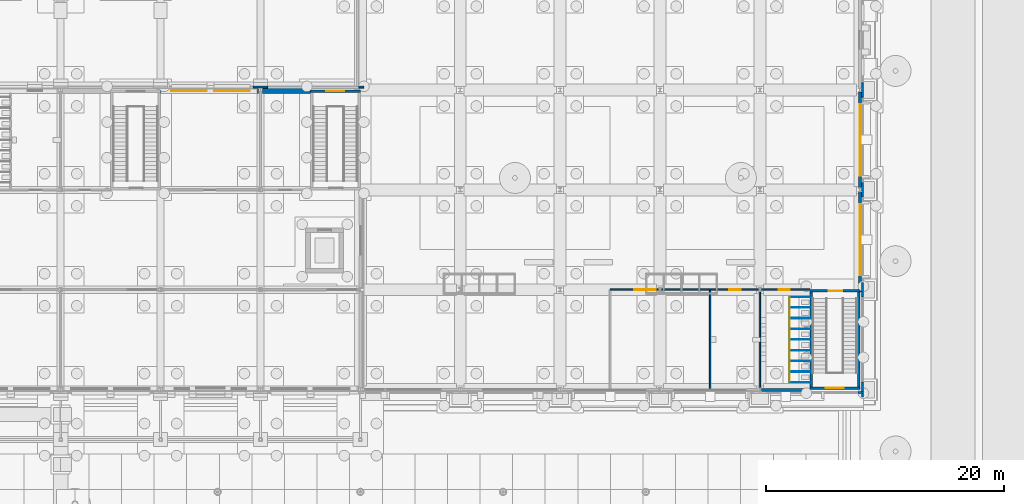
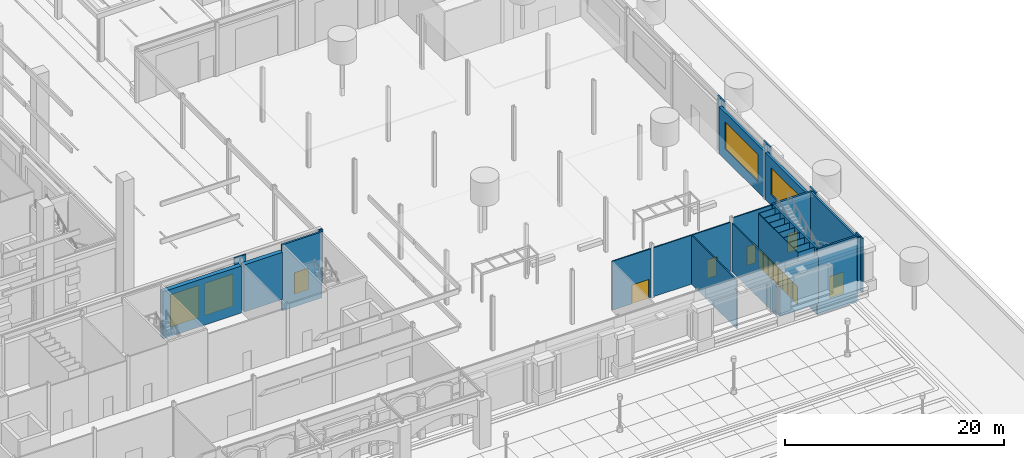
# One storey, part 100 of 222: 33 walls, 14 doors, 4 windows, 18 openings.
"""IFC4 building model written with IfcOpenShell, lengths in metres."""

from ifc_helpers import new_model, si_unit, direction, frame, frame_2d, origin, place, context, subcontext, project, spatial, rectangle, extrude, material, layer, layer_set, type_object, element, fill, save


model = new_model("IFC4")

# Units and contexts
model_context = context("Model", 3, precision=1e-05, world=origin(), true_north=direction((0.0, 1.0)))
body_context = subcontext(model_context, "Body", "Model", "MODEL_VIEW")
ifc_project = project(units=[si_unit("LENGTHUNIT", "METRE"), si_unit("AREAUNIT", "SQUARE_METRE"), si_unit("VOLUMEUNIT", "CUBIC_METRE"), si_unit("PLANEANGLEUNIT", "RADIAN"), si_unit("MASSUNIT", "GRAM", prefix="KILO")], contexts=[model_context])

# Site, building, storey
site_placement = place(None, origin())
site = spatial("IfcSite", under=ifc_project, at=site_placement, CompositionType="ELEMENT")
building_placement = place(site_placement, origin())
building = spatial("IfcBuilding", under=site, at=building_placement, Name="Sava Quay Ferry Terminal", CompositionType="ELEMENT")
storey_placement = place(building_placement, origin())
storey = spatial("IfcBuildingStorey", under=building, at=storey_placement, Name="L00", CompositionType="ELEMENT", Elevation=0.0)

# Wall, openings, doors
ifc_material_1 = material(Name="High-pressure laminate panel")
ifc_layer_1 = layer(ifc_material_1, 0.050048828125)
ifc_layer_set_1 = layer_set([ifc_layer_1], Name="High-pressure laminate panel")
wall_type_1 = type_object("IfcWallType", Name="Cubicle partition 50", PredefinedType="PARTITIONING", material=ifc_layer_set_1)
wall_1_placement = place(storey_placement, frame((162.10009765625, 25.800048828125, 0.0), z_axis=(0.0, 0.0, 1.0), x_axis=(0.0, 1.0, 0.0)))
wall_1 = element("IfcWall", 1, at=wall_1_placement, inside=storey, type_object=wall_type_1, Name="Cubicle partition panel", PredefinedType="PARTITIONING", context=body_context, shape_type="SweptSolid", body=[
    extrude(rectangle(XDim=7.199951171875, YDim=0.050048828125, at=frame_2d((3.60009765625, 0.0))), origin(), (0.0, 0.0, 1.0), 5.85009765625),
])
opening_1_placement = place(wall_1_placement, frame((0.050048828125, 0.0, 0.0)))
opening_1 = element("IfcOpeningElement", 2, at=opening_1_placement, cuts=wall_1, Name="Opening CD027", PredefinedType="OPENING", context=body_context, shape_type="SweptSolid", body=[
    extrude(rectangle(XDim=0.800048828125, YDim=2.0, at=frame_2d((0.39990234375, 1.0))), frame((0.0, 0.02490234375, 0.0), z_axis=(0.0, -1.0, 0.0), x_axis=(1.0, 0.0, 0.0)), (0.0, 0.0, 1.0), 0.050048828125),
])
opening_2_placement = place(wall_1_placement, frame((0.949951171875, 0.0, 0.0)))
opening_2 = element("IfcOpeningElement", 3, at=opening_2_placement, cuts=wall_1, Name="Opening CD028", PredefinedType="OPENING", context=body_context, shape_type="SweptSolid", body=[
    extrude(rectangle(XDim=0.800048828125, YDim=2.0, at=frame_2d((0.39990234375, 1.0))), frame((0.0, 0.02490234375, 0.0), z_axis=(0.0, -1.0, 0.0), x_axis=(1.0, 0.0, 0.0)), (0.0, 0.0, 1.0), 0.050048828125),
])
opening_3_placement = place(wall_1_placement, frame((1.85009765625, 0.0, 0.0)))
opening_3 = element("IfcOpeningElement", 4, at=opening_3_placement, cuts=wall_1, Name="Opening CD029", PredefinedType="OPENING", context=body_context, shape_type="SweptSolid", body=[
    extrude(rectangle(XDim=0.800048828125, YDim=2.0, at=frame_2d((0.39990234375, 1.0))), frame((0.0, 0.02490234375, 0.0), z_axis=(0.0, -1.0, 0.0), x_axis=(1.0, 0.0, 0.0)), (0.0, 0.0, 1.0), 0.050048828125),
])
opening_4_placement = place(wall_1_placement, frame((2.75, 0.0, 0.0)))
opening_4 = element("IfcOpeningElement", 5, at=opening_4_placement, cuts=wall_1, Name="Opening CD030", PredefinedType="OPENING", context=body_context, shape_type="SweptSolid", body=[
    extrude(rectangle(XDim=0.800048828125, YDim=2.0, at=frame_2d((0.39990234375, 1.0))), frame((0.0, 0.02490234375, 0.0), z_axis=(0.0, -1.0, 0.0), x_axis=(1.0, 0.0, 0.0)), (0.0, 0.0, 1.0), 0.050048828125),
])
opening_5_placement = place(wall_1_placement, frame((3.64990234375, 0.0, 0.0)))
opening_5 = element("IfcOpeningElement", 6, at=opening_5_placement, cuts=wall_1, Name="Opening CD031", PredefinedType="OPENING", context=body_context, shape_type="SweptSolid", body=[
    extrude(rectangle(XDim=0.800048828125, YDim=2.0, at=frame_2d((0.39990234375, 1.0))), frame((0.0, 0.02490234375, 0.0), z_axis=(0.0, -1.0, 0.0), x_axis=(1.0, 0.0, 0.0)), (0.0, 0.0, 1.0), 0.050048828125),
])
opening_6_placement = place(wall_1_placement, frame((4.550048828125, 0.0, 0.0)))
opening_6 = element("IfcOpeningElement", 7, at=opening_6_placement, cuts=wall_1, Name="Opening CD032", PredefinedType="OPENING", context=body_context, shape_type="SweptSolid", body=[
    extrude(rectangle(XDim=0.800048828125, YDim=2.0, at=frame_2d((0.39990234375, 1.0))), frame((0.0, 0.02490234375, 0.0), z_axis=(0.0, -1.0, 0.0), x_axis=(1.0, 0.0, 0.0)), (0.0, 0.0, 1.0), 0.050048828125),
])
opening_7_placement = place(wall_1_placement, frame((5.449951171875, 0.0, 0.0)))
opening_7 = element("IfcOpeningElement", 8, at=opening_7_placement, cuts=wall_1, Name="Opening CD033", PredefinedType="OPENING", context=body_context, shape_type="SweptSolid", body=[
    extrude(rectangle(XDim=0.800048828125, YDim=2.0, at=frame_2d((0.39990234375, 1.0))), frame((0.0, 0.02490234375, 0.0), z_axis=(0.0, -1.0, 0.0), x_axis=(1.0, 0.0, 0.0)), (0.0, 0.0, 1.0), 0.050048828125),
])
opening_8_placement = place(wall_1_placement, frame((6.35009765625, 0.0, 0.0)))
opening_8 = element("IfcOpeningElement", 9, at=opening_8_placement, cuts=wall_1, Name="Opening CD034", PredefinedType="OPENING", context=body_context, shape_type="SweptSolid", body=[
    extrude(rectangle(XDim=0.800048828125, YDim=2.0, at=frame_2d((0.39990234375, 1.0))), frame((0.0, 0.02490234375, 0.0), z_axis=(0.0, -1.0, 0.0), x_axis=(1.0, 0.0, 0.0)), (0.0, 0.0, 1.0), 0.050048828125),
])
ifc_material_2 = material(Name="Laminate door set")
door_type_1 = type_object("IfcDoorType", Name="Cubicle door 800 x 2000", OperationType="NOTDEFINED", PredefinedType="DOOR", material=ifc_material_2)
door_1_placement = place(opening_1_placement, origin())
door_1 = element("IfcDoor", 10, at=door_1_placement, inside=storey, type_object=door_type_1, Name="Cubicle door", OperationType="SINGLE_SWING_RIGHT", OverallHeight=2.0, OverallWidth=0.800048828125, PredefinedType="DOOR", context=body_context, shape_type="SweptSolid", body=[
    extrude(rectangle(XDim=0.800048828125, YDim=2.0, at=frame_2d((0.39990234375, 1.0))), frame((0.0, 0.02490234375, 0.0), z_axis=(0.0, -1.0, 0.0), x_axis=(1.0, 0.0, 0.0)), (0.0, 0.0, 1.0), 0.049560546875),
])
fill(opening_1, door_1)
door_2_placement = place(opening_2_placement, origin())
door_2 = element("IfcDoor", 11, at=door_2_placement, inside=storey, type_object=door_type_1, Name="Cubicle door", OperationType="SINGLE_SWING_LEFT", OverallHeight=2.0, OverallWidth=0.800048828125, PredefinedType="DOOR", context=body_context, shape_type="SweptSolid", body=[
    extrude(rectangle(XDim=0.800048828125, YDim=2.0, at=frame_2d((0.39990234375, 1.0))), frame((0.0, 0.02490234375, 0.0), z_axis=(0.0, -1.0, 0.0), x_axis=(1.0, 0.0, 0.0)), (0.0, 0.0, 1.0), 0.049560546875),
])
fill(opening_2, door_2)
door_3_placement = place(opening_3_placement, origin())
door_3 = element("IfcDoor", 12, at=door_3_placement, inside=storey, type_object=door_type_1, Name="Cubicle door", OperationType="SINGLE_SWING_RIGHT", OverallHeight=2.0, OverallWidth=0.800048828125, PredefinedType="DOOR", context=body_context, shape_type="SweptSolid", body=[
    extrude(rectangle(XDim=0.800048828125, YDim=2.0, at=frame_2d((0.39990234375, 1.0))), frame((0.0, 0.02490234375, 0.0), z_axis=(0.0, -1.0, 0.0), x_axis=(1.0, 0.0, 0.0)), (0.0, 0.0, 1.0), 0.049560546875),
])
fill(opening_3, door_3)
door_4_placement = place(opening_4_placement, origin())
door_4 = element("IfcDoor", 13, at=door_4_placement, inside=storey, type_object=door_type_1, Name="Cubicle door", OperationType="SINGLE_SWING_LEFT", OverallHeight=2.0, OverallWidth=0.800048828125, PredefinedType="DOOR", context=body_context, shape_type="SweptSolid", body=[
    extrude(rectangle(XDim=0.800048828125, YDim=2.0, at=frame_2d((0.39990234375, 1.0))), frame((0.0, 0.02490234375, 0.0), z_axis=(0.0, -1.0, 0.0), x_axis=(1.0, 0.0, 0.0)), (0.0, 0.0, 1.0), 0.049560546875),
])
fill(opening_4, door_4)
door_5_placement = place(opening_5_placement, origin())
door_5 = element("IfcDoor", 14, at=door_5_placement, inside=storey, type_object=door_type_1, Name="Cubicle door", OperationType="SINGLE_SWING_RIGHT", OverallHeight=2.0, OverallWidth=0.800048828125, PredefinedType="DOOR", context=body_context, shape_type="SweptSolid", body=[
    extrude(rectangle(XDim=0.800048828125, YDim=2.0, at=frame_2d((0.39990234375, 1.0))), frame((0.0, 0.02490234375, 0.0), z_axis=(0.0, -1.0, 0.0), x_axis=(1.0, 0.0, 0.0)), (0.0, 0.0, 1.0), 0.049560546875),
])
fill(opening_5, door_5)
door_6_placement = place(opening_6_placement, origin())
door_6 = element("IfcDoor", 15, at=door_6_placement, inside=storey, type_object=door_type_1, Name="Cubicle door", OperationType="SINGLE_SWING_LEFT", OverallHeight=2.0, OverallWidth=0.800048828125, PredefinedType="DOOR", context=body_context, shape_type="SweptSolid", body=[
    extrude(rectangle(XDim=0.800048828125, YDim=2.0, at=frame_2d((0.39990234375, 1.0))), frame((0.0, 0.02490234375, 0.0), z_axis=(0.0, -1.0, 0.0), x_axis=(1.0, 0.0, 0.0)), (0.0, 0.0, 1.0), 0.049560546875),
])
fill(opening_6, door_6)
door_7_placement = place(opening_7_placement, origin())
door_7 = element("IfcDoor", 16, at=door_7_placement, inside=storey, type_object=door_type_1, Name="Cubicle door", OperationType="SINGLE_SWING_RIGHT", OverallHeight=2.0, OverallWidth=0.800048828125, PredefinedType="DOOR", context=body_context, shape_type="SweptSolid", body=[
    extrude(rectangle(XDim=0.800048828125, YDim=2.0, at=frame_2d((0.39990234375, 1.0))), frame((0.0, 0.02490234375, 0.0), z_axis=(0.0, -1.0, 0.0), x_axis=(1.0, 0.0, 0.0)), (0.0, 0.0, 1.0), 0.049560546875),
])
fill(opening_7, door_7)
door_8_placement = place(opening_8_placement, origin())
door_8 = element("IfcDoor", 17, at=door_8_placement, inside=storey, type_object=door_type_1, Name="Cubicle door", OperationType="SINGLE_SWING_LEFT", OverallHeight=2.0, OverallWidth=0.800048828125, PredefinedType="DOOR", context=body_context, shape_type="SweptSolid", body=[
    extrude(rectangle(XDim=0.800048828125, YDim=2.0, at=frame_2d((0.39990234375, 1.0))), frame((0.0, 0.02490234375, 0.0), z_axis=(0.0, -1.0, 0.0), x_axis=(1.0, 0.0, 0.0)), (0.0, 0.0, 1.0), 0.049560546875),
])
fill(opening_8, door_8)

# Walls
for number, where, z_axis, x_axis, name in (
    (18, (163.800048828125, 25.800048828125, 0.0), (0.0, 0.0, 1.0), (-1.0, 0.0, 0.0), "Cubicle partition panel"),
    (19, (163.800048828125, 26.699951171875, 0.0), (0.0, 0.0, 1.0), (-1.0, 0.0, 0.0), "Cubicle partition panel"),
    (20, (163.800048828125, 27.60009765625, 0.0), (0.0, 0.0, 1.0), (-1.0, 0.0, 0.0), "Cubicle partition panel"),
    (21, (163.800048828125, 28.5, 0.0), (0.0, 0.0, 1.0), (-1.0, 0.0, 0.0), "Cubicle partition panel"),
    (22, (163.800048828125, 29.39990234375, 0.0), (0.0, 0.0, 1.0), (-1.0, 0.0, 0.0), "Cubicle partition panel"),
    (23, (163.800048828125, 30.300048828125, 0.0), (0.0, 0.0, 1.0), (-1.0, 0.0, 0.0), "Cubicle partition panel"),
    (24, (163.800048828125, 31.199951171875, 0.0), (0.0, 0.0, 1.0), (-1.0, 0.0, 0.0), "Cubicle partition panel"),
    (25, (163.800048828125, 32.10009765625, 0.0), (0.0, 0.0, 1.0), (-1.0, 0.0, 0.0), "Cubicle partition panel"),
    (26, (163.800048828125, 33.0, 0.0), (0.0, 0.0, 1.0), (-1.0, 0.0, 0.0), "Cubicle partition panel"),
):
    element("IfcWall", number, at=place(storey_placement, frame(where, z_axis=z_axis, x_axis=x_axis)), inside=storey, type_object=wall_type_1, Name=name, PredefinedType="PARTITIONING", context=body_context, shape_type="SweptSolid", body=[
        extrude(rectangle(XDim=1.699951171875, YDim=0.050048828125, at=frame_2d((0.85009765625, 0.0))), origin(), (0.0, 0.0, 1.0), 5.85009765625),
    ])
ifc_material_3 = material(Name="Concrete C35/45", Category="concrete")
ifc_layer_2 = layer(ifc_material_3, 0.25)
ifc_layer_set_2 = layer_set([ifc_layer_2], Name="Concrete C35/45")
wall_type_2 = type_object("IfcWallType", Name="Deck perimeter precast panel 250", PredefinedType="SOLIDWALL", material=ifc_layer_set_2)
wall_2_placement = place(storey_placement, frame((159.75, 25.1650390625, 0.0), z_axis=(0.0, 0.0, 1.0), x_axis=(1.0, 0.0, 0.0)))
element("IfcWall", 27, at=wall_2_placement, inside=storey, type_object=wall_type_2, Name="External wall V-S", PredefinedType="SOLIDWALL", context=body_context, shape_type="SweptSolid", body=[
    extrude(rectangle(XDim=4.050048828125, YDim=0.25, at=frame_2d((2.02490234375, 0.0))), origin(), (0.0, 0.0, 1.0), 5.25),
])

# Wall, opening, window
wall_3_placement = place(storey_placement, frame((168.02490234375, 33.39990234375, 0.0), z_axis=(0.0, 0.0, 1.0), x_axis=(0.0, 1.0, 0.0)))
wall_3 = element("IfcWall", 28, at=wall_3_placement, inside=storey, type_object=wall_type_2, Name="External wall V-E", PredefinedType="SOLIDWALL", context=body_context, shape_type="SweptSolid", body=[
    extrude(rectangle(XDim=8.440185546875, YDim=0.25, at=frame_2d((4.22021484375, 0.0))), origin(), (0.0, 0.0, 1.0), 5.25),
])
opening_9_placement = place(wall_3_placement, frame((1.39990234375, 0.0, 1.199951171875)))
opening_9 = element("IfcOpeningElement", 29, at=opening_9_placement, cuts=wall_3, Name="Opening W-L", PredefinedType="OPENING", context=body_context, shape_type="SweptSolid", body=[
    extrude(rectangle(XDim=6.0, YDim=3.0, at=frame_2d((3.0, 1.5))), frame((0.0, 0.125, 0.0), z_axis=(0.0, -1.0, 0.0), x_axis=(1.0, 0.0, 0.0)), (0.0, 0.0, 1.0), 0.25),
])
ifc_material_4 = material(Name="Aluminium bronze anodised frame, glazing double low-e Ug 1.1", Category="aluminium")
window_type_1 = type_object("IfcWindowType", Name="Deck louvre window 6000x3000", PartitioningType="SINGLE_PANEL", PredefinedType="WINDOW", material=ifc_material_4)
window_1_placement = place(opening_9_placement, origin())
window_1 = element("IfcWindow", 30, at=window_1_placement, inside=storey, type_object=window_type_1, Name="Louvre window W-L", OverallHeight=3.0, OverallWidth=6.0, PartitioningType="SINGLE_PANEL", PredefinedType="WINDOW", context=body_context, shape_type="SweptSolid", body=[
    extrude(rectangle(XDim=6.0, YDim=3.0, at=frame_2d((3.0, 1.5))), frame((0.0, 0.030029296875, 0.0), z_axis=(0.0, -1.0, 0.0), x_axis=(1.0, 0.0, 0.0)), (0.0, 0.0, 1.0), 0.06005859375),
])
fill(opening_9, window_1)

wall_4_placement = place(storey_placement, frame((168.02490234375, 42.159912109375, 0.0), z_axis=(0.0, 0.0, 1.0), x_axis=(0.0, 1.0, 0.0)))
wall_4 = element("IfcWall", 31, at=wall_4_placement, inside=storey, type_object=wall_type_2, Name="External wall V-E", PredefinedType="SOLIDWALL", context=body_context, shape_type="SweptSolid", body=[
    extrude(rectangle(XDim=8.080078125, YDim=0.25, at=frame_2d((4.0400390625, 0.0))), origin(), (0.0, 0.0, 1.0), 5.25),
])
opening_10_placement = place(wall_4_placement, frame((1.0400390625, 0.0, 1.199951171875)))
opening_10 = element("IfcOpeningElement", 32, at=opening_10_placement, cuts=wall_4, Name="Opening W-L", PredefinedType="OPENING", context=body_context, shape_type="SweptSolid", body=[
    extrude(rectangle(XDim=6.0, YDim=3.0, at=frame_2d((3.0, 1.5))), frame((0.0, 0.125, 0.0), z_axis=(0.0, -1.0, 0.0), x_axis=(1.0, 0.0, 0.0)), (0.0, 0.0, 1.0), 0.25),
])
window_2_placement = place(opening_10_placement, origin())
window_2 = element("IfcWindow", 33, at=window_2_placement, inside=storey, type_object=window_type_1, Name="Louvre window W-L", OverallHeight=3.0, OverallWidth=6.0, PartitioningType="SINGLE_PANEL", PredefinedType="WINDOW", context=body_context, shape_type="SweptSolid", body=[
    extrude(rectangle(XDim=6.0, YDim=3.0, at=frame_2d((3.0, 1.5))), frame((0.0, 0.030029296875, 0.0), z_axis=(0.0, -1.0, 0.0), x_axis=(1.0, 0.0, 0.0)), (0.0, 0.0, 1.0), 0.06005859375),
])
fill(opening_10, window_2)

# Walls
ifc_material_5 = material(Name="Limestone Mutalj", Category="masonry")
ifc_layer_3 = layer(ifc_material_5, 0.14990234375)
ifc_layer_set_3 = layer_set([ifc_layer_3], Name="Limestone Mutalj")
wall_type_3 = type_object("IfcWallType", Name="Pier cladding 150", PredefinedType="SOLIDWALL", material=ifc_layer_set_3)
wall_5_placement = place(storey_placement, frame((117.0, 50.635009765625, 0.0), z_axis=(0.0, 0.0, 1.0), x_axis=(1.0, 0.0, 0.0)))
element("IfcWall", 34, at=wall_5_placement, inside=storey, type_object=wall_type_3, Name="Pier P-N grid 117.6", PredefinedType="SOLIDWALL", context=body_context, shape_type="SweptSolid", body=[
    extrude(rectangle(XDim=1.199951171875, YDim=0.14990234375, at=frame_2d((0.60009765625, 0.0))), origin(), (0.0, 0.0, 1.0), 6.0),
])
for number, where, z_axis, x_axis, name in (
    (35, (125.85009765625, 50.635009765625, 0.0), (0.0, 0.0, 1.0), (1.0, 0.0, 0.0), "Pier P-N grid 126"),
    (36, (167.85009765625, 24.965087890625, 0.0), (0.0, 0.0, 1.0), (1.0, 0.0, 0.0), "Pier V-S grid 168"),
):
    element("IfcWall", number, at=place(storey_placement, frame(where, z_axis=z_axis, x_axis=x_axis)), inside=storey, type_object=wall_type_3, Name=name, PredefinedType="SOLIDWALL", context=body_context, shape_type="SweptSolid", body=[
        extrude(rectangle(XDim=0.449951171875, YDim=0.14990234375, at=frame_2d((0.22509765625, 0.0))), origin(), (0.0, 0.0, 1.0), 6.0),
    ])
for number, where, z_axis, x_axis, name in (
    (37, (168.22509765625, 24.60009765625, 0.0), (0.0, 0.0, 1.0), (0.0, 1.0, 0.0), "Pier V-E grid 25.2"),
    (38, (168.22509765625, 33.0, 0.0), (0.0, 0.0, 1.0), (0.0, 1.0, 0.0), "Pier V-E grid 33.6"),
):
    element("IfcWall", number, at=place(storey_placement, frame(where, z_axis=z_axis, x_axis=x_axis)), inside=storey, type_object=wall_type_3, Name=name, PredefinedType="SOLIDWALL", context=body_context, shape_type="SweptSolid", body=[
        extrude(rectangle(XDim=1.199951171875, YDim=0.14990234375, at=frame_2d((0.60009765625, 0.0))), origin(), (0.0, 0.0, 1.0), 6.0),
    ])
wall_6_placement = place(storey_placement, frame((168.22509765625, 41.39990234375, 0.0), z_axis=(0.0, 0.0, 1.0), x_axis=(0.0, 1.0, 0.0)))
element("IfcWall", 39, at=wall_6_placement, inside=storey, type_object=wall_type_3, Name="Pier V-E grid 42", PredefinedType="SOLIDWALL", context=body_context, shape_type="SweptSolid", body=[
    extrude(rectangle(XDim=1.2001953125, YDim=0.14990234375, at=frame_2d((0.60009765625, 0.0))), origin(), (0.0, 0.0, 1.0), 6.0),
])
wall_7_placement = place(storey_placement, frame((168.22509765625, 49.800048828125, 0.0), z_axis=(0.0, 0.0, 1.0), x_axis=(0.0, 1.0, 0.0)))
element("IfcWall", 40, at=wall_7_placement, inside=storey, type_object=wall_type_3, Name="Pier V-E grid 50.4", PredefinedType="SOLIDWALL", context=body_context, shape_type="SweptSolid", body=[
    extrude(rectangle(XDim=1.199951171875, YDim=0.14990234375, at=frame_2d((0.60009765625, 0.0))), origin(), (0.0, 0.0, 1.0), 6.0),
])

# Wall, opening, door
ifc_material_6 = material(Name="Concrete C35/45", Category="concrete")
ifc_layer_4 = layer(ifc_material_6, 0.199951171875)
ifc_layer_set_4 = layer_set([ifc_layer_4], Name="Concrete C35/45")
wall_type_4 = type_object("IfcWallType", Name="RC core wall 200", PredefinedType="SHEAR", material=ifc_layer_set_4)
wall_8_placement = place(storey_placement, frame((121.800048828125, 50.300048828125, -1.35009765625), z_axis=(0.0, 0.0, 1.0), x_axis=(1.0, 0.0, 0.0)))
wall_8 = element("IfcWall", 41, at=wall_8_placement, inside=storey, type_object=wall_type_4, Name="Core wall ST-P2 N L00", PredefinedType="SHEAR", context=body_context, shape_type="SweptSolid", body=[
    extrude(rectangle(XDim=4.199951171875, YDim=0.199951171875, at=frame_2d((2.10009765625, 0.0))), origin(), (0.0, 0.0, 1.0), 7.35009765625),
])
opening_11_placement = place(wall_8_placement, frame((1.35009765625, 0.0, 1.35009765625)))
opening_11 = element("IfcOpeningElement", 42, at=opening_11_placement, cuts=wall_8, Name="Opening DX-P5", PredefinedType="OPENING", context=body_context, shape_type="SweptSolid", body=[
    extrude(rectangle(XDim=1.5, YDim=2.39990234375, at=frame_2d((0.75, 1.199951171875))), frame((0.0, 0.10009765625, 0.0), z_axis=(0.0, -1.0, 0.0), x_axis=(1.0, 0.0, 0.0)), (0.0, 0.0, 1.0), 0.199951171875),
])
ifc_material_7 = material(Name="Aluminium bronze anodised, glazing safety laminated", Category="aluminium")
door_type_2 = type_object("IfcDoorType", Name="Exit door 1500x2400", OperationType="DOUBLE_DOOR_SINGLE_SWING", PredefinedType="DOOR", material=ifc_material_7)
door_9_placement = place(opening_11_placement, origin())
door_9 = element("IfcDoor", 43, at=door_9_placement, inside=storey, type_object=door_type_2, Name="Door DX-P5", OperationType="DOUBLE_DOOR_SINGLE_SWING", OverallHeight=2.39990234375, OverallWidth=1.5, PredefinedType="DOOR", context=body_context, shape_type="SweptSolid", body=[
    extrude(rectangle(XDim=1.5, YDim=2.39990234375, at=frame_2d((0.75, 1.199951171875))), frame((0.0, 0.02490234375, 0.0), z_axis=(0.0, -1.0, 0.0), x_axis=(1.0, 0.0, 0.0)), (0.0, 0.0, 1.0), 0.050048828125),
])
fill(opening_11, door_9)

wall_9_placement = place(storey_placement, frame((163.800048828125, 25.300048828125, -1.35009765625), z_axis=(0.0, 0.0, 1.0), x_axis=(1.0, 0.0, 0.0)))
wall_9 = element("IfcWall", 44, at=wall_9_placement, inside=storey, type_object=wall_type_4, Name="Core wall ST-V1 S L00", PredefinedType="SHEAR", context=body_context, shape_type="SweptSolid", body=[
    extrude(rectangle(XDim=4.199951171875, YDim=0.199951171875, at=frame_2d((2.10009765625, 0.0))), origin(), (0.0, 0.0, 1.0), 7.35009765625),
])
opening_12_placement = place(wall_9_placement, frame((1.35009765625, 0.0, 1.35009765625)))
opening_12 = element("IfcOpeningElement", 45, at=opening_12_placement, cuts=wall_9, Name="Opening DX-V6", PredefinedType="OPENING", context=body_context, shape_type="SweptSolid", body=[
    extrude(rectangle(XDim=1.5, YDim=2.39990234375, at=frame_2d((0.75, 1.199951171875))), frame((0.0, 0.10009765625, 0.0), z_axis=(0.0, -1.0, 0.0), x_axis=(1.0, 0.0, 0.0)), (0.0, 0.0, 1.0), 0.199951171875),
])
door_10_placement = place(opening_12_placement, frame((1.5, 0.050048828125, 0.0), z_axis=(0.0, 0.0, 1.0), x_axis=(-1.0, 0.0, 0.0)))
door_10 = element("IfcDoor", 46, at=door_10_placement, inside=storey, type_object=door_type_2, Name="Door DX-V6", OperationType="DOUBLE_DOOR_SINGLE_SWING", OverallHeight=2.39990234375, OverallWidth=1.5, PredefinedType="DOOR", context=body_context, shape_type="SweptSolid", body=[
    extrude(rectangle(XDim=1.5, YDim=2.39990234375, at=frame_2d((0.75, 1.199951171875))), frame((0.0, 0.02490234375, 0.0), z_axis=(0.0, -1.0, 0.0), x_axis=(1.0, 0.0, 0.0)), (0.0, 0.0, 1.0), 0.050048828125),
])
fill(opening_12, door_10)

wall_10_placement = place(storey_placement, frame((163.800048828125, 33.5, -1.35009765625), z_axis=(0.0, 0.0, 1.0), x_axis=(1.0, 0.0, 0.0)))
wall_10 = element("IfcWall", 47, at=wall_10_placement, inside=storey, type_object=wall_type_4, Name="Core wall ST-V1 N L00", PredefinedType="SHEAR", context=body_context, shape_type="SweptSolid", body=[
    extrude(rectangle(XDim=4.199951171875, YDim=0.199951171875, at=frame_2d((2.10009765625, 0.0))), origin(), (0.0, 0.0, 1.0), 7.35009765625),
])
opening_13_placement = place(wall_10_placement, frame((1.60009765625, 0.0, 1.35009765625)))
opening_13 = element("IfcOpeningElement", 48, at=opening_13_placement, cuts=wall_10, Name="Opening DS0016", PredefinedType="OPENING", context=body_context, shape_type="SweptSolid", body=[
    extrude(rectangle(XDim=1.10009765625, YDim=2.10009765625, at=frame_2d((0.550048828125, 1.050048828125))), frame((0.0, 0.10009765625, 0.0), z_axis=(0.0, -1.0, 0.0), x_axis=(1.0, 0.0, 0.0)), (0.0, 0.0, 1.0), 0.199951171875),
])
ifc_material_8 = material(Name="Steel fire door set", Category="steel")
door_type_3 = type_object("IfcDoorType", Name="Stair fire door 1100 x 2100", OperationType="NOTDEFINED", PredefinedType="DOOR", material=ifc_material_8)
door_11_placement = place(opening_13_placement, origin())
door_11 = element("IfcDoor", 49, at=door_11_placement, inside=storey, type_object=door_type_3, Name="Door DS0016", OperationType="SINGLE_SWING_RIGHT", OverallHeight=2.10009765625, OverallWidth=1.10009765625, PredefinedType="DOOR", context=body_context, shape_type="SweptSolid", body=[
    extrude(rectangle(XDim=1.10009765625, YDim=2.10009765625, at=frame_2d((0.550048828125, 1.050048828125))), frame((0.0, 0.02490234375, 0.0), z_axis=(0.0, -1.0, 0.0), x_axis=(1.0, 0.0, 0.0)), (0.0, 0.0, 1.0), 0.050048828125),
])
fill(opening_13, door_11)

# Walls
for number, where, z_axis, x_axis, name in (
    (50, (163.89990234375, 25.39990234375, -1.35009765625), (0.0, 0.0, 1.0), (0.0, 1.0, 0.0), "Core wall ST-V1 W L00"),
    (51, (167.89990234375, 25.39990234375, -1.35009765625), (0.0, 0.0, 1.0), (0.0, 1.0, 0.0), "Core wall ST-V1 E L00"),
):
    element("IfcWall", number, at=place(storey_placement, frame(where, z_axis=z_axis, x_axis=x_axis)), inside=storey, type_object=wall_type_4, Name=name, PredefinedType="SHEAR", context=body_context, shape_type="SweptSolid", body=[
        extrude(rectangle(XDim=8.0, YDim=0.199951171875, at=frame_2d((4.0, 0.0))), origin(), (0.0, 0.0, 1.0), 7.35009765625),
    ])

# Wall, opening, door
ifc_material_9 = material(Name="Plasterboard on steel studs", Category="steel")
ifc_layer_5 = layer(ifc_material_9, 0.125)
ifc_layer_set_5 = layer_set([ifc_layer_5], Name="Plasterboard on steel studs")
wall_type_5 = type_object("IfcWallType", Name="Room partition, plasterboard on steel studs 125", PredefinedType="PARTITIONING", material=ifc_layer_set_5)
wall_11_placement = place(storey_placement, frame((147.0, 33.60009765625, 0.0), z_axis=(0.0, 0.0, 1.0), x_axis=(1.0, 0.0, 0.0)))
wall_11 = element("IfcWall", 52, at=wall_11_placement, inside=storey, type_object=wall_type_5, Name="Room partition, plasterboard on steel studs 125", PredefinedType="PARTITIONING", context=body_context, shape_type="SweptSolid", body=[
    extrude(rectangle(XDim=4.050048828125, YDim=0.125, at=frame_2d((2.02490234375, 0.0))), origin(), (0.0, 0.0, 1.0), 5.449951171875),
])
opening_14_placement = place(wall_11_placement, frame((2.050048828125, 0.0, 0.0)))
opening_14 = element("IfcOpeningElement", 53, at=opening_14_placement, cuts=wall_11, Name="Opening D0033", PredefinedType="OPENING", context=body_context, shape_type="SweptSolid", body=[
    extrude(rectangle(XDim=1.800048828125, YDim=2.10009765625, at=frame_2d((0.89990234375, 1.050048828125))), frame((0.0, 0.0625, 0.0), z_axis=(0.0, -1.0, 0.0), x_axis=(1.0, 0.0, 0.0)), (0.0, 0.0, 1.0), 0.125),
])
ifc_material_10 = material(Name="Timber door set", Category="wood")
door_type_4 = type_object("IfcDoorType", Name="Double door 1800 x 2100", OperationType="NOTDEFINED", PredefinedType="DOOR", material=ifc_material_10)
door_12_placement = place(opening_14_placement, origin())
door_12 = element("IfcDoor", 54, at=door_12_placement, inside=storey, type_object=door_type_4, Name="Door D0033", OperationType="DOUBLE_DOOR_DOUBLE_SWING", OverallHeight=2.10009765625, OverallWidth=1.800048828125, PredefinedType="DOOR", context=body_context, shape_type="SweptSolid", body=[
    extrude(rectangle(XDim=1.800048828125, YDim=2.10009765625, at=frame_2d((0.89990234375, 1.050048828125))), frame((0.0, 0.02490234375, 0.0), z_axis=(0.0, -1.0, 0.0), x_axis=(1.0, 0.0, 0.0)), (0.0, 0.0, 1.0), 0.050048828125),
])
fill(opening_14, door_12)

# Wall
wall_12_placement = place(storey_placement, frame((151.35009765625, 33.60009765625, 0.0), z_axis=(0.0, 0.0, 1.0), x_axis=(1.0, 0.0, 0.0)))
element("IfcWall", 55, at=wall_12_placement, inside=storey, type_object=wall_type_5, Name="Room partition, plasterboard on steel studs 125", PredefinedType="PARTITIONING", context=body_context, shape_type="SweptSolid", body=[
    extrude(rectangle(XDim=4.0498046875, YDim=0.125, at=frame_2d((2.02490234375, 0.0))), origin(), (0.0, 0.0, 1.0), 5.449951171875),
])

# Wall, openings, windows
ifc_material_11 = material(Name="Limestone Mutalj", Category="masonry")
ifc_layer_6 = layer(ifc_material_11, 0.449951171875)
ifc_layer_set_6 = layer_set([ifc_layer_6], Name="Limestone Mutalj")
wall_type_6 = type_object("IfcWallType", Name="Rusticated limestone infill 450", PredefinedType="SOLIDWALL", material=ifc_layer_set_6)
wall_13_placement = place(storey_placement, frame((109.199951171875, 50.3349609375, 0.0), z_axis=(0.0, 0.0, 1.0), x_axis=(1.0, 0.0, 0.0)))
wall_13 = element("IfcWall", 56, at=wall_13_placement, inside=storey, type_object=wall_type_6, Name="External wall P-N", PredefinedType="SOLIDWALL", context=body_context, shape_type="SweptSolid", body=[
    extrude(rectangle(XDim=8.25, YDim=0.449951171875, at=frame_2d((4.125, 0.0))), origin(), (0.0, 0.0, 1.0), 5.25),
])
opening_15_placement = place(wall_13_placement, frame((0.89990234375, 0.0, 0.89990234375)))
opening_15 = element("IfcOpeningElement", 57, at=opening_15_placement, cuts=wall_13, Name="Opening W-A", PredefinedType="OPENING", context=body_context, shape_type="SweptSolid", body=[
    extrude(rectangle(XDim=3.0, YDim=3.60009765625, at=frame_2d((1.5, 1.800048828125))), frame((0.0, 0.22509765625, 0.0), z_axis=(0.0, -1.0, 0.0), x_axis=(1.0, 0.0, 0.0)), (0.0, 0.0, 1.0), 0.449951171875),
])
opening_16_placement = place(wall_13_placement, frame((4.5, 0.0, 0.89990234375)))
opening_16 = element("IfcOpeningElement", 58, at=opening_16_placement, cuts=wall_13, Name="Opening W-A", PredefinedType="OPENING", context=body_context, shape_type="SweptSolid", body=[
    extrude(rectangle(XDim=3.0, YDim=3.60009765625, at=frame_2d((1.5, 1.800048828125))), frame((0.0, 0.22509765625, 0.0), z_axis=(0.0, -1.0, 0.0), x_axis=(1.0, 0.0, 0.0)), (0.0, 0.0, 1.0), 0.449951171875),
])
ifc_material_12 = material(Name="Aluminium bronze anodised frame, glazing double low-e Ug 1.1", Category="aluminium")
window_type_2 = type_object("IfcWindowType", Name="Tall ordered window 3000x3600", PartitioningType="SINGLE_PANEL", PredefinedType="WINDOW", material=ifc_material_12)
window_3_placement = place(opening_15_placement, origin())
window_3 = element("IfcWindow", 59, at=window_3_placement, inside=storey, type_object=window_type_2, Name="Window W-A", OverallHeight=3.60009765625, OverallWidth=3.0, PartitioningType="SINGLE_PANEL", PredefinedType="WINDOW", context=body_context, shape_type="SweptSolid", body=[
    extrude(rectangle(XDim=3.0, YDim=3.60009765625, at=frame_2d((1.5, 1.800048828125))), frame((0.0, 0.030029296875, 0.0), z_axis=(0.0, -1.0, 0.0), x_axis=(1.0, 0.0, 0.0)), (0.0, 0.0, 1.0), 0.06005859375),
])
fill(opening_15, window_3)
window_4_placement = place(opening_16_placement, origin())
window_4 = element("IfcWindow", 60, at=window_4_placement, inside=storey, type_object=window_type_2, Name="Window W-A", OverallHeight=3.60009765625, OverallWidth=3.0, PartitioningType="SINGLE_PANEL", PredefinedType="WINDOW", context=body_context, shape_type="SweptSolid", body=[
    extrude(rectangle(XDim=3.0, YDim=3.60009765625, at=frame_2d((1.5, 1.800048828125))), frame((0.0, 0.030029296875, 0.0), z_axis=(0.0, -1.0, 0.0), x_axis=(1.0, 0.0, 0.0)), (0.0, 0.0, 1.0), 0.06005859375),
])
fill(opening_16, window_4)

# Wall
wall_14_placement = place(storey_placement, frame((117.75, 50.3349609375, 0.0), z_axis=(0.0, 0.0, 1.0), x_axis=(1.0, 0.0, 0.0)))
element("IfcWall", 61, at=wall_14_placement, inside=storey, type_object=wall_type_6, Name="External wall P-N", PredefinedType="SOLIDWALL", context=body_context, shape_type="SweptSolid", body=[
    extrude(rectangle(XDim=4.050048828125, YDim=0.449951171875, at=frame_2d((2.02490234375, 0.0))), origin(), (0.0, 0.0, 1.0), 5.25),
])

# Wall, opening, door
ifc_material_13 = material(Name="Moisture-resistant board on steel studs", Category="steel")
ifc_layer_7 = layer(ifc_material_13, 0.125)
ifc_layer_set_7 = layer_set([ifc_layer_7], Name="Moisture-resistant board on steel studs")
wall_type_7 = type_object("IfcWallType", Name="Toilet partition, moisture-resistant board 125", PredefinedType="PARTITIONING", material=ifc_layer_set_7)
wall_15_placement = place(storey_placement, frame((155.39990234375, 33.60009765625, 0.0), z_axis=(0.0, 0.0, 1.0), x_axis=(1.0, 0.0, 0.0)))
wall_15 = element("IfcWall", 62, at=wall_15_placement, inside=storey, type_object=wall_type_7, Name="Toilet partition, moisture-resistant board 125", PredefinedType="PARTITIONING", context=body_context, shape_type="SweptSolid", body=[
    extrude(rectangle(XDim=4.050048828125, YDim=0.125, at=frame_2d((2.02490234375, 0.0))), origin(), (0.0, 0.0, 1.0), 5.449951171875),
])
opening_17_placement = place(wall_15_placement, frame((1.60009765625, 0.0, 0.0)))
opening_17 = element("IfcOpeningElement", 63, at=opening_17_placement, cuts=wall_15, Name="Opening D0034", PredefinedType="OPENING", context=body_context, shape_type="SweptSolid", body=[
    extrude(rectangle(XDim=1.0, YDim=2.10009765625, at=frame_2d((0.5, 1.050048828125))), frame((0.0, 0.0625, 0.0), z_axis=(0.0, -1.0, 0.0), x_axis=(1.0, 0.0, 0.0)), (0.0, 0.0, 1.0), 0.125),
])
ifc_material_14 = material(Name="Laminate door set")
door_type_5 = type_object("IfcDoorType", Name="Accessible toilet door 1000 x 2100", OperationType="NOTDEFINED", PredefinedType="DOOR", material=ifc_material_14)
door_13_placement = place(opening_17_placement, origin())
door_13 = element("IfcDoor", 64, at=door_13_placement, inside=storey, type_object=door_type_5, Name="Door D0034", OperationType="SINGLE_SWING_RIGHT", OverallHeight=2.10009765625, OverallWidth=1.0, PredefinedType="DOOR", context=body_context, shape_type="SweptSolid", body=[
    extrude(rectangle(XDim=1.0, YDim=2.10009765625, at=frame_2d((0.5, 1.050048828125))), frame((0.0, 0.02490234375, 0.0), z_axis=(0.0, -1.0, 0.0), x_axis=(1.0, 0.0, 0.0)), (0.0, 0.0, 1.0), 0.050048828125),
])
fill(opening_17, door_13)

wall_16_placement = place(storey_placement, frame((159.75, 33.60009765625, 0.0), z_axis=(0.0, 0.0, 1.0), x_axis=(1.0, 0.0, 0.0)))
wall_16 = element("IfcWall", 65, at=wall_16_placement, inside=storey, type_object=wall_type_7, Name="Toilet partition, moisture-resistant board 125", PredefinedType="PARTITIONING", context=body_context, shape_type="SweptSolid", body=[
    extrude(rectangle(XDim=4.050048828125, YDim=0.125, at=frame_2d((2.02490234375, 0.0))), origin(), (0.0, 0.0, 1.0), 5.85009765625),
])
opening_18_placement = place(wall_16_placement, frame((1.449951171875, 0.0, 0.0)))
opening_18 = element("IfcOpeningElement", 66, at=opening_18_placement, cuts=wall_16, Name="Opening D0035", PredefinedType="OPENING", context=body_context, shape_type="SweptSolid", body=[
    extrude(rectangle(XDim=0.89990234375, YDim=2.10009765625, at=frame_2d((0.449951171875, 1.050048828125))), frame((0.0, 0.0625, 0.0), z_axis=(0.0, -1.0, 0.0), x_axis=(1.0, 0.0, 0.0)), (0.0, 0.0, 1.0), 0.125),
])
ifc_material_15 = material(Name="Laminate door set")
door_type_6 = type_object("IfcDoorType", Name="Toilet door 900 x 2100", OperationType="NOTDEFINED", PredefinedType="DOOR", material=ifc_material_15)
door_14_placement = place(opening_18_placement, origin())
door_14 = element("IfcDoor", 67, at=door_14_placement, inside=storey, type_object=door_type_6, Name="Door D0035", OperationType="SINGLE_SWING_LEFT", OverallHeight=2.10009765625, OverallWidth=0.89990234375, PredefinedType="DOOR", context=body_context, shape_type="SweptSolid", body=[
    extrude(rectangle(XDim=0.89990234375, YDim=2.10009765625, at=frame_2d((0.449951171875, 1.050048828125))), frame((0.0, 0.02490234375, 0.0), z_axis=(0.0, -1.0, 0.0), x_axis=(1.0, 0.0, 0.0)), (0.0, 0.0, 1.0), 0.050048828125),
])
fill(opening_18, door_14)

# Walls
wall_17_placement = place(storey_placement, frame((155.39990234375, 25.29052734375, 0.0), z_axis=(0.0, 0.0, 1.0), x_axis=(0.0, 1.0, 0.0)))
element("IfcWall", 68, at=wall_17_placement, inside=storey, type_object=wall_type_7, Name="Toilet partition, moisture-resistant board 125", PredefinedType="PARTITIONING", context=body_context, shape_type="SweptSolid", body=[
    extrude(rectangle(XDim=8.3095703125, YDim=0.125, at=frame_2d((4.15478515625, 0.0))), origin(), (0.0, 0.0, 1.0), 5.449951171875),
])
wall_18_placement = place(storey_placement, frame((159.60009765625, 25.360107421875, 0.0), z_axis=(0.0, 0.0, 1.0), x_axis=(0.0, 1.0, 0.0)))
element("IfcWall", 69, at=wall_18_placement, inside=storey, type_object=wall_type_7, Name="Toilet partition, moisture-resistant board 125", PredefinedType="PARTITIONING", context=body_context, shape_type="SweptSolid", body=[
    extrude(rectangle(XDim=8.079833984375, YDim=0.125, at=frame_2d((4.0400390625, 0.0))), origin(), (0.0, 0.0, 1.0), 5.39990234375),
])

save(model, "model.ifc")
